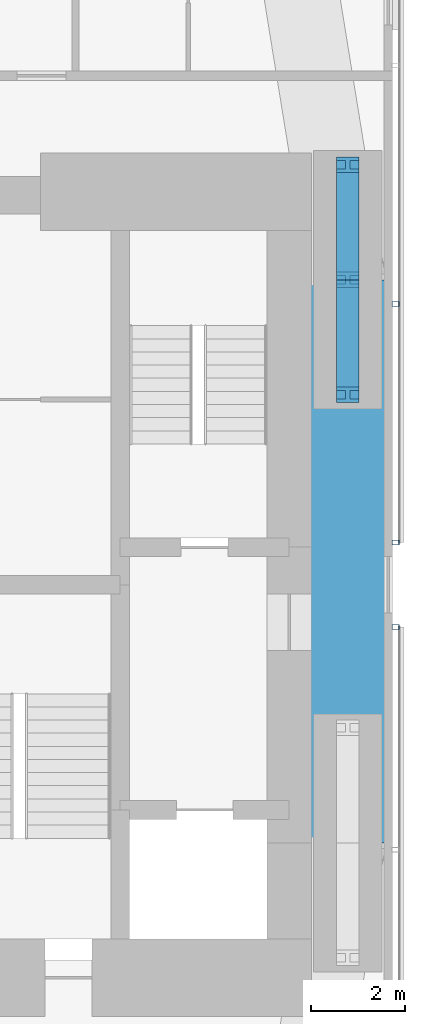
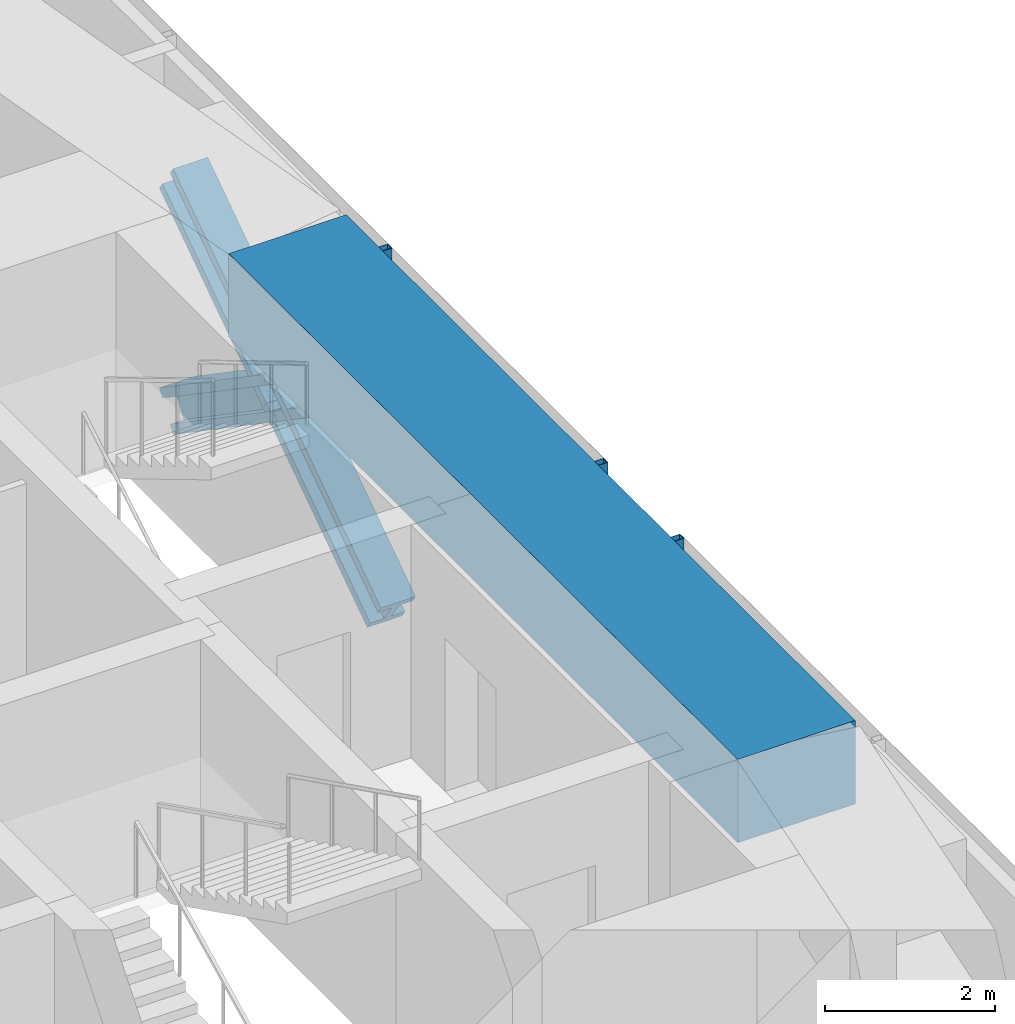
# One storey, part 10 of 24: 7 members, 1 beam, 2 elements without a shape of their own.
"""IFC4 building model written with IfcOpenShell, lengths in metres."""

from ifc_helpers import new_model, si_unit, direction, frame, origin, origin_2d, place, context, subcontext, project, spatial, rectangle, hollow_rectangle, i_section, extrude, material, material_profile, profile_set, type_object, element, aggregate, save


model = new_model("IFC4")

# Units and contexts
model_context = context("Model", 3, precision=1e-05, world=origin(), true_north=direction((0.0, 1.0)))
body_context = subcontext(model_context, "Body", "Model", "MODEL_VIEW")
ifc_project = project(units=[si_unit("LENGTHUNIT", "METRE"), si_unit("AREAUNIT", "SQUARE_METRE"), si_unit("VOLUMEUNIT", "CUBIC_METRE"), si_unit("PLANEANGLEUNIT", "RADIAN"), si_unit("MASSUNIT", "GRAM", prefix="KILO")], contexts=[model_context])

# Site, building, storey
site_placement = place(None, origin())
site = spatial("IfcSite", under=ifc_project, at=site_placement, CompositionType="ELEMENT")
building_placement = place(site_placement, origin())
building = spatial("IfcBuilding", under=site, at=building_placement, Name="Jalousie Tower", CompositionType="ELEMENT")
storey_placement = place(building_placement, frame((0.0, 0.0, 57.85009765625)))
storey = spatial("IfcBuildingStorey", under=building, at=storey_placement, Name="L15", CompositionType="ELEMENT", Elevation=57.85009765625)

# Members
ifc_material_1 = material(Name="Steel ASTM A992 Grade 50", Category="steel")
ifc_material_profile_1 = material_profile(ifc_material_1, i_section(OverallWidth=0.472412109375, OverallDepth=0.5791015625, WebThickness=0.094970703125, FlangeThickness=0.1298828125, at=origin_2d()), Name="W14X808")
ifc_profile_set_1 = profile_set([ifc_material_profile_1], Name="Steel ASTM A992 Grade 50")
member_type_1 = type_object("IfcMemberType", Name="PERIMETER BRACE W14X808", PredefinedType="BRACE", material=ifc_profile_set_1)
for number, where, z_axis, x_axis, name in (
    (1, (45.050048828125, 22.550048828125, -0.60009765625), (0.0, 0.825500916831, 0.564400776321), (-1.0, 0.0, 0.0), "Perimeter brace 07 L15 part 1"),
    (2, (45.050048828125, 25.0, 1.074951171875), (0.0, 0.825500916831, 0.564400776321), (-1.0, 0.0, 0.0), "Perimeter brace 07 L15 part 2"),
    (3, (45.050048828125, 27.449951171875, -0.60009765625), (0.0, -0.825500916831, 0.564400776321), (1.0, 0.0, 0.0), "Perimeter brace 07 L15 part 3"),
    (4, (45.050048828125, 25.0, 1.074951171875), (0.0, -0.825500916831, 0.564400776321), (1.0, 0.0, 0.0), "Perimeter brace 07 L15 part 4"),
):
    element("IfcMember", number, at=place(storey_placement, frame(where, z_axis=z_axis, x_axis=x_axis)), inside=storey, type_object=member_type_1, Name=name, PredefinedType="BRACE", context=body_context, shape_type="SweptSolid", body=[
        extrude(i_section(OverallWidth=0.472412109375, OverallDepth=0.5791015625, WebThickness=0.094970703125, FlangeThickness=0.1298828125, at=origin_2d()), origin(), (0.0, 0.0, 1.0), 2.9677734375),
    ])

# Beam
ifc_material_2 = material(Name="Concrete f'c 40 MPa", Category="concrete")
ifc_material_profile_2 = material_profile(ifc_material_2, rectangle(XDim=1.60009765625, YDim=1.199951171875, at=origin_2d()), Name="RC 1600x1200")
ifc_profile_set_2 = profile_set([ifc_material_profile_2], Name="Concrete f'c 40 MPa")
beam_type = type_object("IfcBeamType", Name="RC BEAM 1600x1200", PredefinedType="BEAM", material=ifc_profile_set_2)
beam_placement = place(storey_placement, frame((45.050048828125, 13.0, 2.75), z_axis=(0.0, 1.0, 0.0), x_axis=(-1.0, 0.0, 0.0)))
element("IfcBeam", 5, at=beam_placement, inside=storey, type_object=beam_type, Name="Edge band beam 06-07 under L16", PredefinedType="BEAM", context=body_context, shape_type="SweptSolid", body=[
    extrude(rectangle(XDim=1.60009765625, YDim=1.199951171875, at=origin_2d()), origin(), (0.0, 0.0, 1.0), 12.0),
])

# Curtain wall, member
ifc_material_3 = material(Name="Perforated aluminium sheet", Category="aluminium")
curtain_wall_type = type_object("IfcCurtainWallType", Name="SOLAR SCREEN SS-1", PredefinedType="USERDEFINED", material=ifc_material_3)
curtain_wall_1_placement = place(storey_placement, origin())
curtain_wall_1 = element("IfcCurtainWall", 6, at=curtain_wall_1_placement, inside=storey, type_object=curtain_wall_type, Name="Solar screen L15", ObjectType="SOLAR SCREEN SS-1", PredefinedType="USERDEFINED")
ifc_material_4 = material(Name="Steel ASTM A500 Grade C", Category="steel")
ifc_material_profile_3 = material_profile(ifc_material_4, hollow_rectangle(XDim=0.1015625, YDim=0.15234375, WallThickness=0.00634765625, at=origin_2d()), Name="HSS6X4X1/4")
ifc_profile_set_3 = profile_set([ifc_material_profile_3], Name="Steel ASTM A500 Grade C")
member_type_2 = type_object("IfcMemberType", Name="SOLAR SCREEN SS-1 MULLION", PredefinedType="MULLION", material=ifc_profile_set_3)
member_1_placement = place(storey_placement, frame((46.0712890625, 17.60009765625, -0.1201171875), z_axis=(0.0, 0.0, 1.0), x_axis=(0.0, 1.0, 0.0)))
member_1 = element("IfcMember", 7, at=member_1_placement, type_object=member_type_2, Name="SS1 post 4", PredefinedType="MULLION", context=body_context, shape_type="SweptSolid", body=[
    extrude(hollow_rectangle(XDim=0.1015625, YDim=0.15234375, WallThickness=0.00634765625, at=origin_2d()), origin(), (0.0, 0.0, 1.0), 3.22998046875),
])
aggregate(curtain_wall_1, [member_1])

# Curtain wall, members
curtain_wall_2_placement = place(storey_placement, origin())
curtain_wall_2 = element("IfcCurtainWall", 8, at=curtain_wall_2_placement, inside=storey, type_object=curtain_wall_type, Name="Solar screen L15", ObjectType="SOLAR SCREEN SS-1", PredefinedType="USERDEFINED")
member_2_placement = place(storey_placement, frame((46.0712890625, 19.39990234375, -0.1201171875), z_axis=(0.0, 0.0, 1.0), x_axis=(0.0, 1.0, 0.0)))
member_2 = element("IfcMember", 9, at=member_2_placement, type_object=member_type_2, Name="SS1 post 1", PredefinedType="MULLION", context=body_context, shape_type="SweptSolid", body=[
    extrude(hollow_rectangle(XDim=0.1015625, YDim=0.15234375, WallThickness=0.00634765625, at=origin_2d()), origin(), (0.0, 0.0, 1.0), 3.22998046875),
])
member_3_placement = place(storey_placement, frame((46.0712890625, 24.48291015625, -0.1201171875), z_axis=(0.0, 0.0, 1.0), x_axis=(0.0, 1.0, 0.0)))
member_3 = element("IfcMember", 10, at=member_3_placement, type_object=member_type_2, Name="SS1 post 2", PredefinedType="MULLION", context=body_context, shape_type="SweptSolid", body=[
    extrude(hollow_rectangle(XDim=0.1015625, YDim=0.15234375, WallThickness=0.00634765625, at=origin_2d()), origin(), (0.0, 0.0, 1.0), 3.22998046875),
])
aggregate(curtain_wall_2, [member_2, member_3])

save(model, "model.ifc")
